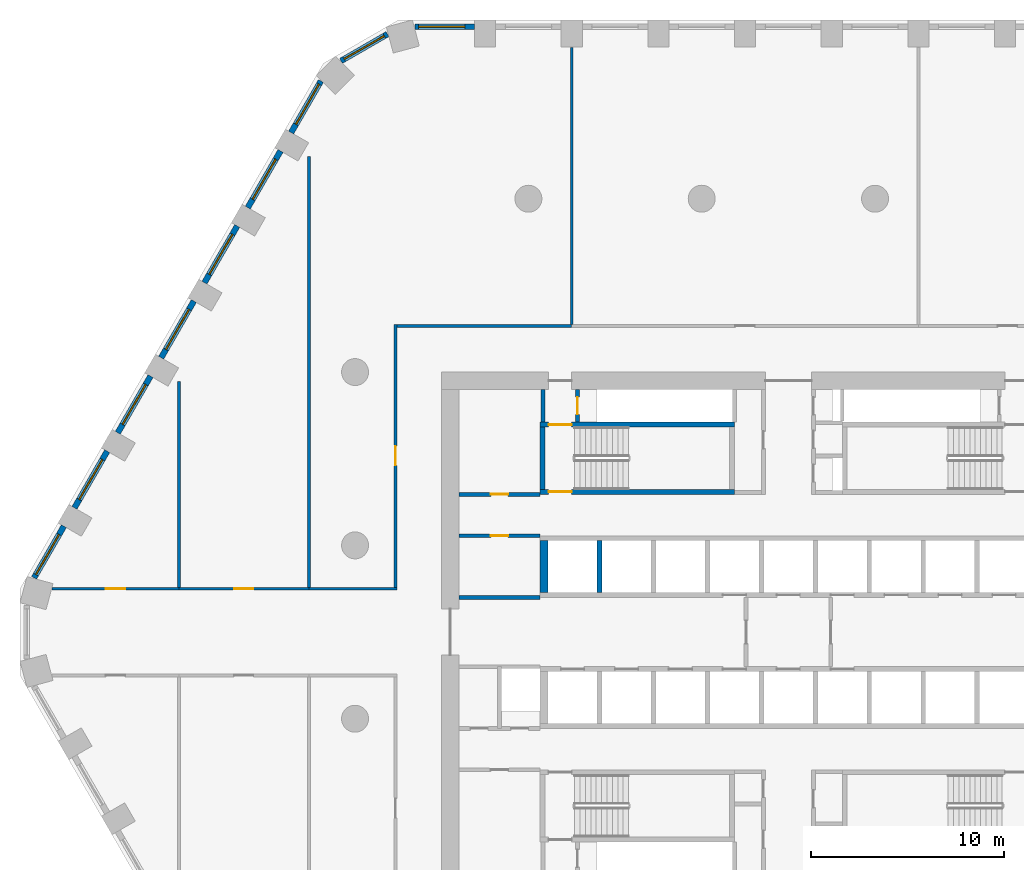
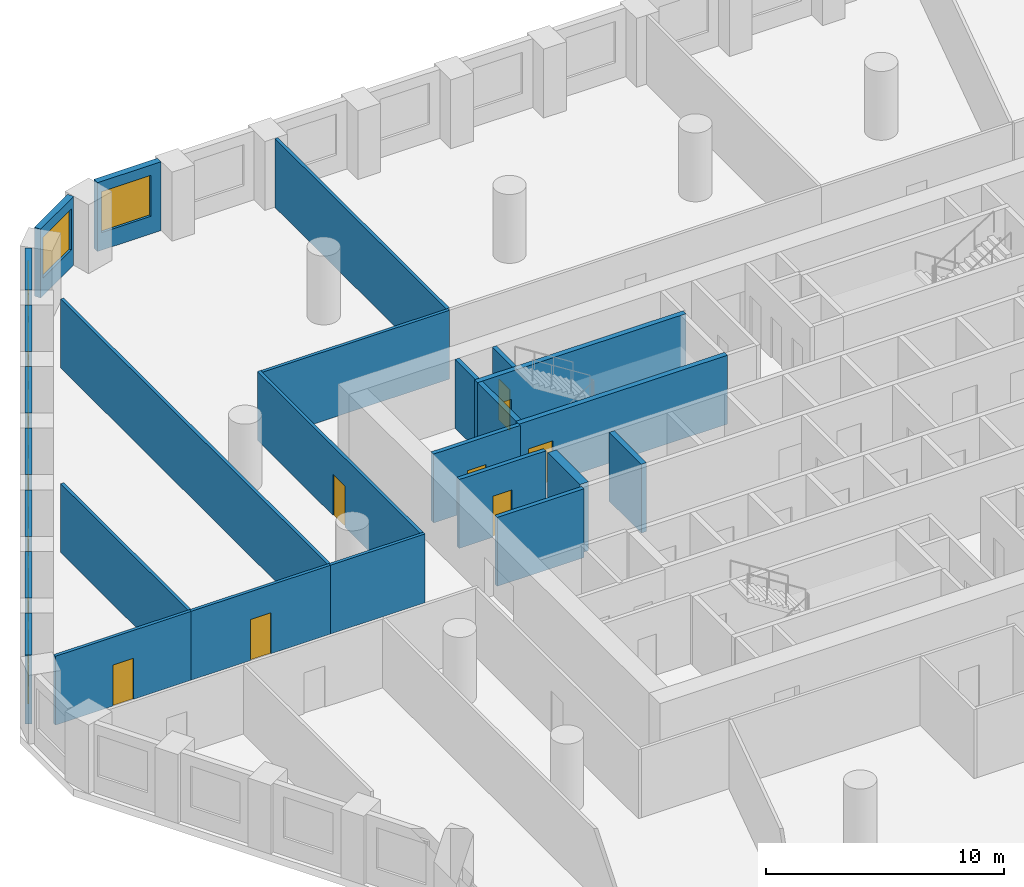
# One storey, part 5 of 10: 27 walls, 9 windows, 8 doors, 17 openings.
"""IFC4 building model written with IfcOpenShell, lengths in metres."""

from ifc_helpers import new_model, si_unit, direction, frame, frame_2d, origin, place, context, subcontext, project, spatial, polyline, rectangle, outline, extrude, material, layer, layer_set, type_object, element, fill, save


model = new_model("IFC4")

# Units and contexts
model_context = context("Model", 3, precision=1e-05, world=origin(), true_north=direction((0.0, 1.0)))
body_context = subcontext(model_context, "Body", "Model", "MODEL_VIEW")
ifc_project = project(units=[si_unit("LENGTHUNIT", "METRE"), si_unit("AREAUNIT", "SQUARE_METRE"), si_unit("VOLUMEUNIT", "CUBIC_METRE"), si_unit("PLANEANGLEUNIT", "RADIAN"), si_unit("MASSUNIT", "GRAM", prefix="KILO")], contexts=[model_context])

# Site, building, storey
site_placement = place(None, origin())
site = spatial("IfcSite", under=ifc_project, at=site_placement, CompositionType="ELEMENT")
building_placement = place(site_placement, origin())
building = spatial("IfcBuilding", under=site, at=building_placement, Name="Dhurran Vertical Campus", CompositionType="ELEMENT")
storey_placement = place(building_placement, frame((0.0, 0.0, 69.0)))
storey = spatial("IfcBuildingStorey", under=building, at=storey_placement, Name="L16", CompositionType="ELEMENT", Elevation=69.0)

# Wall, opening, window
ifc_material_1 = material(Name="Precast concrete C50/60", Category="concrete")
ifc_layer_1 = layer(ifc_material_1, 0.300048828125)
ifc_layer_set_1 = layer_set([ifc_layer_1], Name="Precast concrete C50/60")
wall_type_1 = type_object("IfcWallType", Name="Precast spandrel wall 300", PredefinedType="SOLIDWALL", material=ifc_layer_set_1)
wall_1_placement = place(storey_placement, frame((-16.300537109375, 31.4296875, 0.0), z_axis=(0.0, 0.0, 1.0), x_axis=(-1.0, 0.0, 0.0)))
wall_1 = element("IfcWall", 1, at=wall_1_placement, inside=storey, type_object=wall_type_1, Name="EW1 L16.34", PredefinedType="SOLIDWALL", context=body_context, shape_type="SweptSolid", body=[
    extrude(rectangle(XDim=3.090576171875, YDim=0.300048828125, at=frame_2d((1.54541015625, 0.0))), origin(), (0.0, 0.0, 1.0), 3.52490234375),
])
opening_1_placement = place(wall_1_placement, frame((0.49951171875, 0.0, 0.89990234375)))
opening_1 = element("IfcOpeningElement", 2, at=opening_1_placement, cuts=wall_1, Name="Opening WT1", PredefinedType="OPENING", context=body_context, shape_type="SweptSolid", body=[
    extrude(rectangle(XDim=2.39990234375, YDim=2.10009765625, at=frame_2d((1.199951171875, 1.050048828125))), frame((0.0, 0.159912109375, 0.0), z_axis=(0.0, -1.0, 0.0), x_axis=(1.0, 0.0, 0.0)), (0.0, 0.0, 1.0), 0.320068359375),
])
ifc_material_2 = material(Name="Aluminium frame with solar-control glass", Category="aluminium")
window_type = type_object("IfcWindowType", Name="Punched window 2400 x 2100", PartitioningType="SINGLE_PANEL", PredefinedType="WINDOW", material=ifc_material_2)
window_1_placement = place(opening_1_placement, origin())
window_1 = element("IfcWindow", 3, at=window_1_placement, inside=storey, type_object=window_type, Name="WT1 L16.34", OverallHeight=2.10009765625, OverallWidth=2.39990234375, PartitioningType="SINGLE_PANEL", PredefinedType="WINDOW", context=body_context, shape_type="SweptSolid", body=[
    extrude(rectangle(XDim=2.39990234375, YDim=2.10009765625, at=frame_2d((1.199951171875, 1.050048828125))), frame((0.0, 0.030029296875, 0.0), z_axis=(0.0, -1.0, 0.0), x_axis=(1.0, 0.0, 0.0)), (0.0, 0.0, 1.0), 0.06005859375),
])
fill(opening_1, window_1)

wall_2_placement = place(storey_placement, frame((-20.81884765625, 31.047119140625, 0.0), z_axis=(0.0, 0.0, 1.0), x_axis=(-0.866020456713, -0.500008568482, 0.0)))
wall_2 = element("IfcWall", 4, at=wall_2_placement, inside=storey, type_object=wall_type_1, Name="EW1 L16.35", PredefinedType="SOLIDWALL", context=body_context, shape_type="SweptSolid", body=[
    extrude(rectangle(XDim=2.7822265625, YDim=0.300048828125, at=frame_2d((1.39111328125, 0.0))), origin(), (0.0, 0.0, 1.0), 3.52490234375),
])
opening_2_placement = place(wall_2_placement, frame((0.191162109375, 0.0, 0.89990234375)))
opening_2 = element("IfcOpeningElement", 5, at=opening_2_placement, cuts=wall_2, Name="Opening WT1", PredefinedType="OPENING", context=body_context, shape_type="SweptSolid", body=[
    extrude(rectangle(XDim=2.39990234375, YDim=2.10009765625, at=frame_2d((1.199951171875, 1.050048828125))), frame((0.0, 0.159912109375, 0.0), z_axis=(0.0, -1.0, 0.0), x_axis=(1.0, 0.0, 0.0)), (0.0, 0.0, 1.0), 0.320068359375),
])
window_2_placement = place(opening_2_placement, origin())
window_2 = element("IfcWindow", 6, at=window_2_placement, inside=storey, type_object=window_type, Name="WT1 L16.35", OverallHeight=2.10009765625, OverallWidth=2.39990234375, PartitioningType="SINGLE_PANEL", PredefinedType="WINDOW", context=body_context, shape_type="SweptSolid", body=[
    extrude(rectangle(XDim=2.39990234375, YDim=2.10009765625, at=frame_2d((1.199951171875, 1.050048828125))), frame((0.0, 0.030029296875, 0.0), z_axis=(0.0, -1.0, 0.0), x_axis=(1.0, 0.0, 0.0)), (0.0, 0.0, 1.0), 0.06005859375),
])
fill(opening_2, window_2)

wall_3_placement = place(storey_placement, frame((-24.2734375, 28.611083984375, 0.0), z_axis=(0.0, 0.0, 1.0), x_axis=(-0.499995950774, -0.866027741594, 0.0)))
wall_3 = element("IfcWall", 7, at=wall_3_placement, inside=storey, type_object=wall_type_1, Name="EW1 L16.36", PredefinedType="SOLIDWALL", context=body_context, shape_type="SweptSolid", body=[
    extrude(rectangle(XDim=3.0908203125, YDim=0.300048828125, at=frame_2d((1.54541015625, 0.0))), origin(), (0.0, 0.0, 1.0), 3.52490234375),
])
opening_3_placement = place(wall_3_placement, frame((0.191162109375, 0.0, 0.89990234375)))
opening_3 = element("IfcOpeningElement", 8, at=opening_3_placement, cuts=wall_3, Name="Opening WT1", PredefinedType="OPENING", context=body_context, shape_type="SweptSolid", body=[
    extrude(rectangle(XDim=2.39990234375, YDim=2.10009765625, at=frame_2d((1.199951171875, 1.050048828125))), frame((0.0, 0.159912109375, 0.0), z_axis=(0.0, -1.0, 0.0), x_axis=(1.0, 0.0, 0.0)), (0.0, 0.0, 1.0), 0.320068359375),
])
window_3_placement = place(opening_3_placement, origin())
window_3 = element("IfcWindow", 9, at=window_3_placement, inside=storey, type_object=window_type, Name="WT1 L16.36", OverallHeight=2.10009765625, OverallWidth=2.39990234375, PartitioningType="SINGLE_PANEL", PredefinedType="WINDOW", context=body_context, shape_type="SweptSolid", body=[
    extrude(rectangle(XDim=2.39990234375, YDim=2.10009765625, at=frame_2d((1.199951171875, 1.050048828125))), frame((0.0, 0.030029296875, 0.0), z_axis=(0.0, -1.0, 0.0), x_axis=(1.0, 0.0, 0.0)), (0.0, 0.0, 1.0), 0.06005859375),
])
fill(opening_3, window_3)

wall_4_placement = place(storey_placement, frame((-26.369384765625, 24.98095703125, 0.0), z_axis=(0.0, 0.0, 1.0), x_axis=(-0.499993955907, -0.866028893315, 0.0)))
wall_4 = element("IfcWall", 10, at=wall_4_placement, inside=storey, type_object=wall_type_1, Name="EW1 L16.37", PredefinedType="SOLIDWALL", context=body_context, shape_type="SweptSolid", body=[
    extrude(rectangle(XDim=3.39892578125, YDim=0.300048828125, at=frame_2d((1.699462890625, 0.0))), origin(), (0.0, 0.0, 1.0), 3.52490234375),
])
opening_4_placement = place(wall_4_placement, frame((0.49951171875, 0.0, 0.89990234375)))
opening_4 = element("IfcOpeningElement", 11, at=opening_4_placement, cuts=wall_4, Name="Opening WT1", PredefinedType="OPENING", context=body_context, shape_type="SweptSolid", body=[
    extrude(rectangle(XDim=2.39990234375, YDim=2.10009765625, at=frame_2d((1.199951171875, 1.050048828125))), frame((0.0, 0.159912109375, 0.0), z_axis=(0.0, -1.0, 0.0), x_axis=(1.0, 0.0, 0.0)), (0.0, 0.0, 1.0), 0.320068359375),
])
window_4_placement = place(opening_4_placement, origin())
window_4 = element("IfcWindow", 12, at=window_4_placement, inside=storey, type_object=window_type, Name="WT1 L16.37", OverallHeight=2.10009765625, OverallWidth=2.39990234375, PartitioningType="SINGLE_PANEL", PredefinedType="WINDOW", context=body_context, shape_type="SweptSolid", body=[
    extrude(rectangle(XDim=2.39990234375, YDim=2.10009765625, at=frame_2d((1.199951171875, 1.050048828125))), frame((0.0, 0.030029296875, 0.0), z_axis=(0.0, -1.0, 0.0), x_axis=(1.0, 0.0, 0.0)), (0.0, 0.0, 1.0), 0.06005859375),
])
fill(opening_4, window_4)

wall_5_placement = place(storey_placement, frame((-28.619384765625, 21.083740234375, 0.0), z_axis=(0.0, 0.0, 1.0), x_axis=(-0.499993955907, -0.866028893315, 0.0)))
wall_5 = element("IfcWall", 13, at=wall_5_placement, inside=storey, type_object=wall_type_1, Name="EW1 L16.38", PredefinedType="SOLIDWALL", context=body_context, shape_type="SweptSolid", body=[
    extrude(rectangle(XDim=3.39892578125, YDim=0.300048828125, at=frame_2d((1.699462890625, 0.0))), origin(), (0.0, 0.0, 1.0), 3.52490234375),
])
opening_5_placement = place(wall_5_placement, frame((0.49951171875, 0.0, 0.89990234375)))
opening_5 = element("IfcOpeningElement", 14, at=opening_5_placement, cuts=wall_5, Name="Opening WT1", PredefinedType="OPENING", context=body_context, shape_type="SweptSolid", body=[
    extrude(rectangle(XDim=2.39990234375, YDim=2.10009765625, at=frame_2d((1.199951171875, 1.050048828125))), frame((0.0, 0.159912109375, 0.0), z_axis=(0.0, -1.0, 0.0), x_axis=(1.0, 0.0, 0.0)), (0.0, 0.0, 1.0), 0.320068359375),
])
window_5_placement = place(opening_5_placement, origin())
window_5 = element("IfcWindow", 15, at=window_5_placement, inside=storey, type_object=window_type, Name="WT1 L16.38", OverallHeight=2.10009765625, OverallWidth=2.39990234375, PartitioningType="SINGLE_PANEL", PredefinedType="WINDOW", context=body_context, shape_type="SweptSolid", body=[
    extrude(rectangle(XDim=2.39990234375, YDim=2.10009765625, at=frame_2d((1.199951171875, 1.050048828125))), frame((0.0, 0.030029296875, 0.0), z_axis=(0.0, -1.0, 0.0), x_axis=(1.0, 0.0, 0.0)), (0.0, 0.0, 1.0), 0.06005859375),
])
fill(opening_5, window_5)

wall_6_placement = place(storey_placement, frame((-30.869384765625, 17.186767578125, 0.0), z_axis=(0.0, 0.0, 1.0), x_axis=(-0.499993955907, -0.866028893315, 0.0)))
wall_6 = element("IfcWall", 16, at=wall_6_placement, inside=storey, type_object=wall_type_1, Name="EW1 L16.39", PredefinedType="SOLIDWALL", context=body_context, shape_type="SweptSolid", body=[
    extrude(rectangle(XDim=3.39892578125, YDim=0.300048828125, at=frame_2d((1.699462890625, 0.0))), origin(), (0.0, 0.0, 1.0), 3.52490234375),
])
opening_6_placement = place(wall_6_placement, frame((0.49951171875, 0.0, 0.89990234375)))
opening_6 = element("IfcOpeningElement", 17, at=opening_6_placement, cuts=wall_6, Name="Opening WT1", PredefinedType="OPENING", context=body_context, shape_type="SweptSolid", body=[
    extrude(rectangle(XDim=2.39990234375, YDim=2.10009765625, at=frame_2d((1.199951171875, 1.050048828125))), frame((0.0, 0.159912109375, 0.0), z_axis=(0.0, -1.0, 0.0), x_axis=(1.0, 0.0, 0.0)), (0.0, 0.0, 1.0), 0.320068359375),
])
window_6_placement = place(opening_6_placement, origin())
window_6 = element("IfcWindow", 18, at=window_6_placement, inside=storey, type_object=window_type, Name="WT1 L16.39", OverallHeight=2.10009765625, OverallWidth=2.39990234375, PartitioningType="SINGLE_PANEL", PredefinedType="WINDOW", context=body_context, shape_type="SweptSolid", body=[
    extrude(rectangle(XDim=2.39990234375, YDim=2.10009765625, at=frame_2d((1.199951171875, 1.050048828125))), frame((0.0, 0.030029296875, 0.0), z_axis=(0.0, -1.0, 0.0), x_axis=(1.0, 0.0, 0.0)), (0.0, 0.0, 1.0), 0.06005859375),
])
fill(opening_6, window_6)

wall_7_placement = place(storey_placement, frame((-33.119384765625, 13.28955078125, 0.0), z_axis=(0.0, 0.0, 1.0), x_axis=(-0.499993955907, -0.866028893315, 0.0)))
wall_7 = element("IfcWall", 19, at=wall_7_placement, inside=storey, type_object=wall_type_1, Name="EW1 L16.40", PredefinedType="SOLIDWALL", context=body_context, shape_type="SweptSolid", body=[
    extrude(rectangle(XDim=3.39892578125, YDim=0.300048828125, at=frame_2d((1.699462890625, 0.0))), origin(), (0.0, 0.0, 1.0), 3.52490234375),
])
opening_7_placement = place(wall_7_placement, frame((0.49951171875, 0.0, 0.89990234375)))
opening_7 = element("IfcOpeningElement", 20, at=opening_7_placement, cuts=wall_7, Name="Opening WT1", PredefinedType="OPENING", context=body_context, shape_type="SweptSolid", body=[
    extrude(rectangle(XDim=2.39990234375, YDim=2.10009765625, at=frame_2d((1.199951171875, 1.050048828125))), frame((0.0, 0.159912109375, 0.0), z_axis=(0.0, -1.0, 0.0), x_axis=(1.0, 0.0, 0.0)), (0.0, 0.0, 1.0), 0.320068359375),
])
window_7_placement = place(opening_7_placement, origin())
window_7 = element("IfcWindow", 21, at=window_7_placement, inside=storey, type_object=window_type, Name="WT1 L16.40", OverallHeight=2.10009765625, OverallWidth=2.39990234375, PartitioningType="SINGLE_PANEL", PredefinedType="WINDOW", context=body_context, shape_type="SweptSolid", body=[
    extrude(rectangle(XDim=2.39990234375, YDim=2.10009765625, at=frame_2d((1.199951171875, 1.050048828125))), frame((0.0, 0.030029296875, 0.0), z_axis=(0.0, -1.0, 0.0), x_axis=(1.0, 0.0, 0.0)), (0.0, 0.0, 1.0), 0.06005859375),
])
fill(opening_7, window_7)

wall_8_placement = place(storey_placement, frame((-35.369384765625, 9.392578125, 0.0), z_axis=(0.0, 0.0, 1.0), x_axis=(-0.499993955907, -0.866028893315, 0.0)))
wall_8 = element("IfcWall", 22, at=wall_8_placement, inside=storey, type_object=wall_type_1, Name="EW1 L16.41", PredefinedType="SOLIDWALL", context=body_context, shape_type="SweptSolid", body=[
    extrude(rectangle(XDim=3.39892578125, YDim=0.300048828125, at=frame_2d((1.699462890625, 0.0))), origin(), (0.0, 0.0, 1.0), 3.52490234375),
])
opening_8_placement = place(wall_8_placement, frame((0.49951171875, 0.0, 0.89990234375)))
opening_8 = element("IfcOpeningElement", 23, at=opening_8_placement, cuts=wall_8, Name="Opening WT1", PredefinedType="OPENING", context=body_context, shape_type="SweptSolid", body=[
    extrude(rectangle(XDim=2.39990234375, YDim=2.10009765625, at=frame_2d((1.199951171875, 1.050048828125))), frame((0.0, 0.159912109375, 0.0), z_axis=(0.0, -1.0, 0.0), x_axis=(1.0, 0.0, 0.0)), (0.0, 0.0, 1.0), 0.320068359375),
])
window_8_placement = place(opening_8_placement, origin())
window_8 = element("IfcWindow", 24, at=window_8_placement, inside=storey, type_object=window_type, Name="WT1 L16.41", OverallHeight=2.10009765625, OverallWidth=2.39990234375, PartitioningType="SINGLE_PANEL", PredefinedType="WINDOW", context=body_context, shape_type="SweptSolid", body=[
    extrude(rectangle(XDim=2.39990234375, YDim=2.10009765625, at=frame_2d((1.199951171875, 1.050048828125))), frame((0.0, 0.030029296875, 0.0), z_axis=(0.0, -1.0, 0.0), x_axis=(1.0, 0.0, 0.0)), (0.0, 0.0, 1.0), 0.06005859375),
])
fill(opening_8, window_8)

wall_9_placement = place(storey_placement, frame((-37.619384765625, 5.495361328125, 0.0), z_axis=(0.0, 0.0, 1.0), x_axis=(-0.49997090907, -0.866042198789, 0.0)))
wall_9 = element("IfcWall", 25, at=wall_9_placement, inside=storey, type_object=wall_type_1, Name="EW1 L16.42", PredefinedType="SOLIDWALL", context=body_context, shape_type="SweptSolid", body=[
    extrude(rectangle(XDim=3.090576171875, YDim=0.300048828125, at=frame_2d((1.54541015625, 0.0))), origin(), (0.0, 0.0, 1.0), 3.52490234375),
])
opening_9_placement = place(wall_9_placement, frame((0.49951171875, 0.0, 0.89990234375)))
opening_9 = element("IfcOpeningElement", 26, at=opening_9_placement, cuts=wall_9, Name="Opening WT1", PredefinedType="OPENING", context=body_context, shape_type="SweptSolid", body=[
    extrude(rectangle(XDim=2.39990234375, YDim=2.10009765625, at=frame_2d((1.199951171875, 1.050048828125))), frame((0.0, 0.159912109375, 0.0), z_axis=(0.0, -1.0, 0.0), x_axis=(1.0, 0.0, 0.0)), (0.0, 0.0, 1.0), 0.320068359375),
])
window_9_placement = place(opening_9_placement, origin())
window_9 = element("IfcWindow", 27, at=window_9_placement, inside=storey, type_object=window_type, Name="WT1 L16.42", OverallHeight=2.10009765625, OverallWidth=2.39990234375, PartitioningType="SINGLE_PANEL", PredefinedType="WINDOW", context=body_context, shape_type="SweptSolid", body=[
    extrude(rectangle(XDim=2.39990234375, YDim=2.10009765625, at=frame_2d((1.199951171875, 1.050048828125))), frame((0.0, 0.030029296875, 0.0), z_axis=(0.0, -1.0, 0.0), x_axis=(1.0, 0.0, 0.0)), (0.0, 0.0, 1.0), 0.06005859375),
])
fill(opening_9, window_9)

# Wall
ifc_material_3 = material(Name="Fire-rated masonry blockwork", Category="masonry")
ifc_layer_2 = layer(ifc_material_3, 0.199951171875)
ifc_layer_set_2 = layer_set([ifc_layer_2], Name="Fire-rated masonry blockwork")
wall_type_2 = type_object("IfcWallType", Name="co-FIRE-PARTITION-200", PredefinedType="PARTITIONING", material=ifc_layer_set_2)
wall_10_placement = place(storey_placement, frame((-12.75, 10.89990234375, 0.0), z_axis=(0.0, 0.0, 1.0), x_axis=(0.0, 1.0, 0.0)))
element("IfcWall", 28, at=wall_10_placement, inside=storey, type_object=wall_type_2, Name="Core partition pass-ST1-o L16", PredefinedType="PARTITIONING", context=body_context, shape_type="SweptSolid", body=[
    extrude(rectangle(XDim=1.7001953125, YDim=0.199951171875, at=frame_2d((0.85009765625, 0.0))), origin(), (0.0, 0.0, 1.0), 3.52490234375),
])

# Wall, opening, door
wall_11_placement = place(storey_placement, frame((-10.949951171875, 10.89990234375, 0.0), z_axis=(0.0, 0.0, 1.0), x_axis=(0.0, 1.0, 0.0)))
wall_11 = element("IfcWall", 29, at=wall_11_placement, inside=storey, type_object=wall_type_2, Name="Core partition pass-ST1-i L16", PredefinedType="PARTITIONING", context=body_context, shape_type="SweptSolid", body=[
    extrude(rectangle(XDim=1.7001953125, YDim=0.199951171875, at=frame_2d((0.85009765625, 0.0))), origin(), (0.0, 0.0, 1.0), 3.52490234375),
])
opening_10_placement = place(wall_11_placement, frame((0.39990234375, 0.0, 0.0)))
opening_10 = element("IfcOpeningElement", 30, at=opening_10_placement, cuts=wall_11, Name="Opening T04-C9", PredefinedType="OPENING", context=body_context, shape_type="SweptSolid", body=[
    extrude(rectangle(XDim=0.89990234375, YDim=2.10009765625, at=frame_2d((0.449951171875, 1.050048828125))), frame((0.0, 0.10986328125, 0.0), z_axis=(0.0, -1.0, 0.0), x_axis=(1.0, 0.0, 0.0)), (0.0, 0.0, 1.0), 0.219970703125),
])
ifc_material_4 = material(Name="Fire-rated timber door set", Category="wood")
door_type_1 = type_object("IfcDoorType", Name="co-D-ROOM 900x2100", OperationType="SINGLE_SWING_LEFT", PredefinedType="DOOR", material=ifc_material_4)
door_1_placement = place(opening_10_placement, origin())
door_1 = element("IfcDoor", 31, at=door_1_placement, inside=storey, type_object=door_type_1, Name="Riser room door L16", OperationType="SINGLE_SWING_LEFT", OverallHeight=2.10009765625, OverallWidth=0.89990234375, PredefinedType="DOOR", context=body_context, shape_type="SweptSolid", body=[
    extrude(rectangle(XDim=0.89990234375, YDim=2.10009765625, at=frame_2d((0.449951171875, 1.050048828125))), frame((0.0, 0.02490234375, 0.0), z_axis=(0.0, -1.0, 0.0), x_axis=(1.0, 0.0, 0.0)), (0.0, 0.0, 1.0), 0.050048828125),
])
fill(opening_10, door_1)

wall_12_placement = place(storey_placement, frame((-17.10009765625, 7.14990234375, 0.0), z_axis=(0.0, 0.0, 1.0), x_axis=(1.0, 0.0, 0.0)))
wall_12 = element("IfcWall", 32, at=wall_12_placement, inside=storey, type_object=wall_type_2, Name="Core partition en-NW-w L16", PredefinedType="PARTITIONING", context=body_context, shape_type="SweptSolid", body=[
    extrude(rectangle(XDim=4.2001953125, YDim=0.199951171875, at=frame_2d((2.10009765625, 0.0))), origin(), (0.0, 0.0, 1.0), 3.52490234375),
])
opening_11_placement = place(wall_12_placement, frame((1.64990234375, 0.0, 0.0)))
opening_11 = element("IfcOpeningElement", 33, at=opening_11_placement, cuts=wall_12, Name="Opening T04-C13", PredefinedType="OPENING", context=body_context, shape_type="SweptSolid", body=[
    extrude(rectangle(XDim=0.89990234375, YDim=2.10009765625, at=frame_2d((0.449951171875, 1.050048828125))), frame((0.0, 0.10986328125, 0.0), z_axis=(0.0, -1.0, 0.0), x_axis=(1.0, 0.0, 0.0)), (0.0, 0.0, 1.0), 0.219970703125),
])
door_2_placement = place(opening_11_placement, origin())
door_2 = element("IfcDoor", 34, at=door_2_placement, inside=storey, type_object=door_type_1, Name="Store door L16", OperationType="SINGLE_SWING_LEFT", OverallHeight=2.10009765625, OverallWidth=0.89990234375, PredefinedType="DOOR", context=body_context, shape_type="SweptSolid", body=[
    extrude(rectangle(XDim=0.89990234375, YDim=2.10009765625, at=frame_2d((0.449951171875, 1.050048828125))), frame((0.0, 0.02490234375, 0.0), z_axis=(0.0, -1.0, 0.0), x_axis=(1.0, 0.0, 0.0)), (0.0, 0.0, 1.0), 0.050048828125),
])
fill(opening_11, door_2)

wall_13_placement = place(storey_placement, frame((-17.10009765625, 5.0, 0.0), z_axis=(0.0, 0.0, 1.0), x_axis=(1.0, 0.0, 0.0)))
wall_13 = element("IfcWall", 35, at=wall_13_placement, inside=storey, type_object=wall_type_2, Name="Core partition es-NW-w L16", PredefinedType="PARTITIONING", context=body_context, shape_type="SweptSolid", body=[
    extrude(rectangle(XDim=4.2001953125, YDim=0.199951171875, at=frame_2d((2.10009765625, 0.0))), origin(), (0.0, 0.0, 1.0), 3.52490234375),
])
opening_12_placement = place(wall_13_placement, frame((1.64990234375, 0.0, 0.0)))
opening_12 = element("IfcOpeningElement", 36, at=opening_12_placement, cuts=wall_13, Name="Opening T04-C14", PredefinedType="OPENING", context=body_context, shape_type="SweptSolid", body=[
    extrude(rectangle(XDim=0.89990234375, YDim=2.10009765625, at=frame_2d((0.449951171875, 1.050048828125))), frame((0.0, 0.10986328125, 0.0), z_axis=(0.0, -1.0, 0.0), x_axis=(1.0, 0.0, 0.0)), (0.0, 0.0, 1.0), 0.219970703125),
])
door_3_placement = place(opening_12_placement, origin())
door_3 = element("IfcDoor", 37, at=door_3_placement, inside=storey, type_object=door_type_1, Name="Print room door L16", OperationType="SINGLE_SWING_LEFT", OverallHeight=2.10009765625, OverallWidth=0.89990234375, PredefinedType="DOOR", context=body_context, shape_type="SweptSolid", body=[
    extrude(rectangle(XDim=0.89990234375, YDim=2.10009765625, at=frame_2d((0.449951171875, 1.050048828125))), frame((0.0, 0.02490234375, 0.0), z_axis=(0.0, -1.0, 0.0), x_axis=(1.0, 0.0, 0.0)), (0.0, 0.0, 1.0), 0.050048828125),
])
fill(opening_12, door_3)

# Walls
wall_14_placement = place(storey_placement, frame((-17.10009765625, 1.800048828125, 0.0), z_axis=(0.0, 0.0, 1.0), x_axis=(1.0, 0.0, 0.0)))
element("IfcWall", 38, at=wall_14_placement, inside=storey, type_object=wall_type_2, Name="Core partition es-NW-l L16", PredefinedType="PARTITIONING", context=body_context, shape_type="SweptSolid", body=[
    extrude(rectangle(XDim=4.2001953125, YDim=0.199951171875, at=frame_2d((2.10009765625, 0.0))), origin(), (0.0, 0.0, 1.0), 3.52490234375),
])
ifc_material_5 = material(Name="Concrete C50/60", Category="concrete")
ifc_layer_3 = layer(ifc_material_5, 0.25)
ifc_layer_set_3 = layer_set([ifc_layer_3], Name="Concrete C50/60")
wall_type_3 = type_object("IfcWallType", Name="co-SHAFT-MASS-250", PredefinedType="SHEAR", material=ifc_layer_set_3)
wall_15_placement = place(storey_placement, origin())
element("IfcWall", 39, at=wall_15_placement, inside=storey, type_object=wall_type_3, Name="Lift shaft wall N L16 2", PredefinedType="SHEAR", context=body_context, shape_type="SweptSolid", body=[
    extrude(outline(polyline([(-12.89990234375, 2.050048828125), (-12.47509765625, 2.050048828125), (-12.47509765625, 4.75), (-12.89990234375, 4.75), (-12.89990234375, 2.050048828125)])), origin(), (0.0, 0.0, 1.0), 3.52490234375),
])
wall_16_placement = place(storey_placement, origin())
element("IfcWall", 40, at=wall_16_placement, inside=storey, type_object=wall_type_3, Name="Lift shaft wall N L16 3", PredefinedType="SHEAR", context=body_context, shape_type="SweptSolid", body=[
    extrude(outline(polyline([(-9.925048828125, 2.050048828125), (-9.675048828125, 2.050048828125), (-9.675048828125, 4.75), (-9.925048828125, 4.75), (-9.925048828125, 2.050048828125)])), origin(), (0.0, 0.0, 1.0), 3.52490234375),
])

# Wall, opening, door
ifc_material_6 = material(Name="Concrete C40/50", Category="concrete")
ifc_layer_4 = layer(ifc_material_6, 0.25)
ifc_layer_set_4 = layer_set([ifc_layer_4], Name="Concrete C40/50")
wall_type_4 = type_object("IfcWallType", Name="co-STAIR-WALL-250", PredefinedType="SHEAR", material=ifc_layer_set_4)
wall_17_placement = place(storey_placement, frame((-12.89990234375, 7.27490234375, 0.0), z_axis=(0.0, 0.0, 1.0), x_axis=(1.0, 0.0, 0.0)))
wall_17 = element("IfcWall", 41, at=wall_17_placement, inside=storey, type_object=wall_type_4, Name="Stair ST1 enclosure wall L16", PredefinedType="SHEAR", context=body_context, shape_type="SweptSolid", body=[
    extrude(rectangle(XDim=10.099853515625, YDim=0.25, at=frame_2d((5.0498046875, 0.0))), origin(), (0.0, 0.0, 1.0), 3.52490234375),
])
opening_13_placement = place(wall_17_placement, frame((0.449951171875, 0.0, 0.0)))
opening_13 = element("IfcOpeningElement", 42, at=opening_13_placement, cuts=wall_17, Name="Opening SD1", PredefinedType="OPENING", context=body_context, shape_type="SweptSolid", body=[
    extrude(rectangle(XDim=1.199951171875, YDim=2.10009765625, at=frame_2d((0.60009765625, 1.050048828125))), frame((0.0, 0.135009765625, 0.0), z_axis=(0.0, -1.0, 0.0), x_axis=(1.0, 0.0, 0.0)), (0.0, 0.0, 1.0), 0.27001953125),
])
ifc_material_7 = material(Name="Fire-rated steel door set", Category="steel")
door_type_2 = type_object("IfcDoorType", Name="co-D-STAIR 1200x2100", OperationType="SINGLE_SWING_LEFT", PredefinedType="DOOR", material=ifc_material_7)
door_4_placement = place(opening_13_placement, origin())
door_4 = element("IfcDoor", 43, at=door_4_placement, inside=storey, type_object=door_type_2, Name="Stair ST1 door L16", OperationType="SINGLE_SWING_LEFT", OverallHeight=2.10009765625, OverallWidth=1.199951171875, PredefinedType="DOOR", context=body_context, shape_type="SweptSolid", body=[
    extrude(rectangle(XDim=1.199951171875, YDim=2.10009765625, at=frame_2d((0.60009765625, 1.050048828125))), frame((0.0, 0.02490234375, 0.0), z_axis=(0.0, -1.0, 0.0), x_axis=(1.0, 0.0, 0.0)), (0.0, 0.0, 1.0), 0.050048828125),
])
fill(opening_13, door_4)

wall_18_placement = place(storey_placement, frame((-12.89990234375, 10.77490234375, 0.0), z_axis=(0.0, 0.0, 1.0), x_axis=(1.0, 0.0, 0.0)))
wall_18 = element("IfcWall", 44, at=wall_18_placement, inside=storey, type_object=wall_type_4, Name="Stair ST1 enclosure wall L16", PredefinedType="SHEAR", context=body_context, shape_type="SweptSolid", body=[
    extrude(rectangle(XDim=10.099853515625, YDim=0.25, at=frame_2d((5.0498046875, 0.0))), origin(), (0.0, 0.0, 1.0), 3.52490234375),
])
opening_14_placement = place(wall_18_placement, frame((0.449951171875, 0.0, 0.0)))
opening_14 = element("IfcOpeningElement", 45, at=opening_14_placement, cuts=wall_18, Name="Opening XS1", PredefinedType="OPENING", context=body_context, shape_type="SweptSolid", body=[
    extrude(rectangle(XDim=1.199951171875, YDim=2.10009765625, at=frame_2d((0.60009765625, 1.050048828125))), frame((0.0, 0.135009765625, 0.0), z_axis=(0.0, -1.0, 0.0), x_axis=(1.0, 0.0, 0.0)), (0.0, 0.0, 1.0), 0.27001953125),
])
ifc_material_8 = material(Name="Fire-rated steel door set", Category="steel")
door_type_3 = type_object("IfcDoorType", Name="co-D-STAIR-EXIT 1200x2100", OperationType="SINGLE_SWING_RIGHT", PredefinedType="DOOR", material=ifc_material_8)
door_5_placement = place(opening_14_placement, origin())
door_5 = element("IfcDoor", 46, at=door_5_placement, inside=storey, type_object=door_type_3, Name="Stair ST1 discharge door L16", OperationType="SINGLE_SWING_RIGHT", OverallHeight=2.10009765625, OverallWidth=1.199951171875, PredefinedType="DOOR", context=body_context, shape_type="SweptSolid", body=[
    extrude(rectangle(XDim=1.199951171875, YDim=2.10009765625, at=frame_2d((0.60009765625, 1.050048828125))), frame((0.0, 0.02490234375, 0.0), z_axis=(0.0, -1.0, 0.0), x_axis=(1.0, 0.0, 0.0)), (0.0, 0.0, 1.0), 0.050048828125),
])
fill(opening_14, door_5)

# Wall
wall_19_placement = place(storey_placement, frame((-12.77490234375, 7.39990234375, 0.0), z_axis=(0.0, 0.0, 1.0), x_axis=(0.0, 1.0, 0.0)))
element("IfcWall", 47, at=wall_19_placement, inside=storey, type_object=wall_type_4, Name="Stair ST1 enclosure wall L16", PredefinedType="SHEAR", context=body_context, shape_type="SweptSolid", body=[
    extrude(rectangle(XDim=3.25, YDim=0.25, at=frame_2d((1.625, 0.0))), origin(), (0.0, 0.0, 1.0), 3.52490234375),
])

# Wall, opening, door
ifc_material_9 = material(Name="Gypsum board corridor wall on steel studs", Category="steel")
ifc_layer_5 = layer(ifc_material_9, 0.14990234375)
ifc_layer_set_5 = layer_set([ifc_layer_5], Name="Gypsum board corridor wall on steel studs")
wall_type_5 = type_object("IfcWallType", Name="fl-CW-150 corridor wall", PredefinedType="PARTITIONING", material=ifc_layer_set_5)
wall_20_placement = place(storey_placement, frame((-38.23291015625, 2.25, 0.0), z_axis=(0.0, 0.0, 1.0), x_axis=(1.0, 0.0, 0.0)))
wall_20 = element("IfcWall", 48, at=wall_20_placement, inside=storey, type_object=wall_type_5, Name="Partition 16-02", PredefinedType="PARTITIONING", context=body_context, shape_type="SweptSolid", body=[
    extrude(rectangle(XDim=6.5830078125, YDim=0.14990234375, at=frame_2d((3.29150390625, 0.0))), origin(), (0.0, 0.0, 1.0), 3.52490234375),
])
opening_15_placement = place(wall_20_placement, frame((2.79150390625, 0.0, 0.0)))
opening_15 = element("IfcOpeningElement", 49, at=opening_15_placement, cuts=wall_20, Name="Opening T04.02", PredefinedType="OPENING", context=body_context, shape_type="SweptSolid", body=[
    extrude(rectangle(XDim=1.0, YDim=2.10009765625, at=frame_2d((0.5, 1.050048828125))), frame((0.0, 0.0849609375, 0.0), z_axis=(0.0, -1.0, 0.0), x_axis=(1.0, 0.0, 0.0)), (0.0, 0.0, 1.0), 0.169921875),
])
ifc_material_10 = material(Name="Solid-core timber door set, fire-rated", Category="wood")
door_type_4 = type_object("IfcDoorType", Name="fl-D-1000x2100", OperationType="SINGLE_SWING_LEFT", PredefinedType="DOOR", material=ifc_material_10)
door_6_placement = place(opening_15_placement, origin())
door_6 = element("IfcDoor", 50, at=door_6_placement, inside=storey, type_object=door_type_4, Name="Door 16.02", OperationType="SINGLE_SWING_RIGHT", OverallHeight=2.10009765625, OverallWidth=1.0, PredefinedType="DOOR", context=body_context, shape_type="SweptSolid", body=[
    extrude(rectangle(XDim=1.0, YDim=2.10009765625, at=frame_2d((0.5, 1.050048828125))), frame((0.0, 0.02490234375, 0.0), z_axis=(0.0, -1.0, 0.0), x_axis=(1.0, 0.0, 0.0)), (0.0, 0.0, 1.0), 0.050048828125),
])
fill(opening_15, door_6)

wall_21_placement = place(storey_placement, frame((-31.64990234375, 2.25, 0.0), z_axis=(0.0, 0.0, 1.0), x_axis=(1.0, 0.0, 0.0)))
wall_21 = element("IfcWall", 51, at=wall_21_placement, inside=storey, type_object=wall_type_5, Name="Partition 16-06", PredefinedType="PARTITIONING", context=body_context, shape_type="SweptSolid", body=[
    extrude(rectangle(XDim=6.75, YDim=0.14990234375, at=frame_2d((3.375, 0.0))), origin(), (0.0, 0.0, 1.0), 3.52490234375),
])
opening_16_placement = place(wall_21_placement, frame((2.875, 0.0, 0.0)))
opening_16 = element("IfcOpeningElement", 52, at=opening_16_placement, cuts=wall_21, Name="Opening T04.04", PredefinedType="OPENING", context=body_context, shape_type="SweptSolid", body=[
    extrude(rectangle(XDim=1.0, YDim=2.10009765625, at=frame_2d((0.5, 1.050048828125))), frame((0.0, 0.0849609375, 0.0), z_axis=(0.0, -1.0, 0.0), x_axis=(1.0, 0.0, 0.0)), (0.0, 0.0, 1.0), 0.169921875),
])
door_7_placement = place(opening_16_placement, origin())
door_7 = element("IfcDoor", 53, at=door_7_placement, inside=storey, type_object=door_type_4, Name="Door 16.04", OperationType="SINGLE_SWING_RIGHT", OverallHeight=2.10009765625, OverallWidth=1.0, PredefinedType="DOOR", context=body_context, shape_type="SweptSolid", body=[
    extrude(rectangle(XDim=1.0, YDim=2.10009765625, at=frame_2d((0.5, 1.050048828125))), frame((0.0, 0.02490234375, 0.0), z_axis=(0.0, -1.0, 0.0), x_axis=(1.0, 0.0, 0.0)), (0.0, 0.0, 1.0), 0.050048828125),
])
fill(opening_16, door_7)

# Wall
wall_22_placement = place(storey_placement, frame((-24.89990234375, 2.25, 0.0), z_axis=(0.0, 0.0, 1.0), x_axis=(1.0, 0.0, 0.0)))
element("IfcWall", 54, at=wall_22_placement, inside=storey, type_object=wall_type_5, Name="Partition 16-10", PredefinedType="PARTITIONING", context=body_context, shape_type="SweptSolid", body=[
    extrude(rectangle(XDim=4.574951171875, YDim=0.14990234375, at=frame_2d((2.28759765625, 0.0))), origin(), (0.0, 0.0, 1.0), 3.52490234375),
])

# Wall, opening, door
wall_23_placement = place(storey_placement, frame((-20.39990234375, 15.97509765625, 0.0), z_axis=(0.0, 0.0, 1.0), x_axis=(0.0, -1.0, 0.0)))
wall_23 = element("IfcWall", 55, at=wall_23_placement, inside=storey, type_object=wall_type_5, Name="Partition 16-13", PredefinedType="PARTITIONING", context=body_context, shape_type="SweptSolid", body=[
    extrude(rectangle(XDim=13.650146484375, YDim=0.14990234375, at=frame_2d((6.8251953125, 0.0))), origin(), (0.0, 0.0, 1.0), 3.52490234375),
])
opening_17_placement = place(wall_23_placement, frame((6.324951171875, 0.0, 0.0)))
opening_17 = element("IfcOpeningElement", 56, at=opening_17_placement, cuts=wall_23, Name="Opening T04.06", PredefinedType="OPENING", context=body_context, shape_type="SweptSolid", body=[
    extrude(rectangle(XDim=1.0, YDim=2.10009765625, at=frame_2d((0.5, 1.050048828125))), frame((0.0, 0.0849609375, 0.0), z_axis=(0.0, -1.0, 0.0), x_axis=(1.0, 0.0, 0.0)), (0.0, 0.0, 1.0), 0.169921875),
])
door_8_placement = place(opening_17_placement, origin())
door_8 = element("IfcDoor", 57, at=door_8_placement, inside=storey, type_object=door_type_4, Name="Door 16.06", OperationType="SINGLE_SWING_LEFT", OverallHeight=2.10009765625, OverallWidth=1.0, PredefinedType="DOOR", context=body_context, shape_type="SweptSolid", body=[
    extrude(rectangle(XDim=1.0, YDim=2.10009765625, at=frame_2d((0.5, 1.050048828125))), frame((0.0, 0.02490234375, 0.0), z_axis=(0.0, -1.0, 0.0), x_axis=(1.0, 0.0, 0.0)), (0.0, 0.0, 1.0), 0.050048828125),
])
fill(opening_17, door_8)

# Walls
wall_24_placement = place(storey_placement, frame((-11.25, 15.89990234375, 0.0), z_axis=(0.0, 0.0, 1.0), x_axis=(-1.0, 0.0, 0.0)))
element("IfcWall", 58, at=wall_24_placement, inside=storey, type_object=wall_type_5, Name="Partition 16-14", PredefinedType="PARTITIONING", context=body_context, shape_type="SweptSolid", body=[
    extrude(rectangle(XDim=9.074951171875, YDim=0.14990234375, at=frame_2d((4.53759765625, 0.0))), origin(), (0.0, 0.0, 1.0), 3.52490234375),
])
ifc_material_11 = material(Name="Gypsum board partition on steel studs", Category="steel")
ifc_layer_6 = layer(ifc_material_11, 0.14990234375)
ifc_layer_set_6 = layer_set([ifc_layer_6], Name="Gypsum board partition on steel studs")
wall_type_6 = type_object("IfcWallType", Name="fl-PW-150 fixed partition", PredefinedType="PARTITIONING", material=ifc_layer_set_6)
wall_25_placement = place(storey_placement, frame((-31.64990234375, 13.001953125, 0.0), z_axis=(0.0, 0.0, 1.0), x_axis=(0.0, -1.0, 0.0)))
element("IfcWall", 59, at=wall_25_placement, inside=storey, type_object=wall_type_6, Name="Partition 16-05", PredefinedType="PARTITIONING", context=body_context, shape_type="SweptSolid", body=[
    extrude(rectangle(XDim=10.677001953125, YDim=0.14990234375, at=frame_2d((5.33837890625, 0.0))), origin(), (0.0, 0.0, 1.0), 3.52490234375),
])
wall_26_placement = place(storey_placement, frame((-24.89990234375, 24.693115234375, 0.0), z_axis=(0.0, 0.0, 1.0), x_axis=(0.0, -1.0, 0.0)))
element("IfcWall", 60, at=wall_26_placement, inside=storey, type_object=wall_type_6, Name="Partition 16-09", PredefinedType="PARTITIONING", context=body_context, shape_type="SweptSolid", body=[
    extrude(rectangle(XDim=22.3681640625, YDim=0.14990234375, at=frame_2d((11.18408203125, 0.0))), origin(), (0.0, 0.0, 1.0), 3.52490234375),
])
wall_27_placement = place(storey_placement, frame((-11.25, 30.35986328125, 0.0), z_axis=(0.0, 0.0, 1.0), x_axis=(0.0, -1.0, 0.0)))
element("IfcWall", 61, at=wall_27_placement, inside=storey, type_object=wall_type_6, Name="Partition 16-17", PredefinedType="PARTITIONING", context=body_context, shape_type="SweptSolid", body=[
    extrude(rectangle(XDim=14.384765625, YDim=0.14990234375, at=frame_2d((7.1923828125, 0.0))), origin(), (0.0, 0.0, 1.0), 3.52490234375),
])

save(model, "model.ifc")
